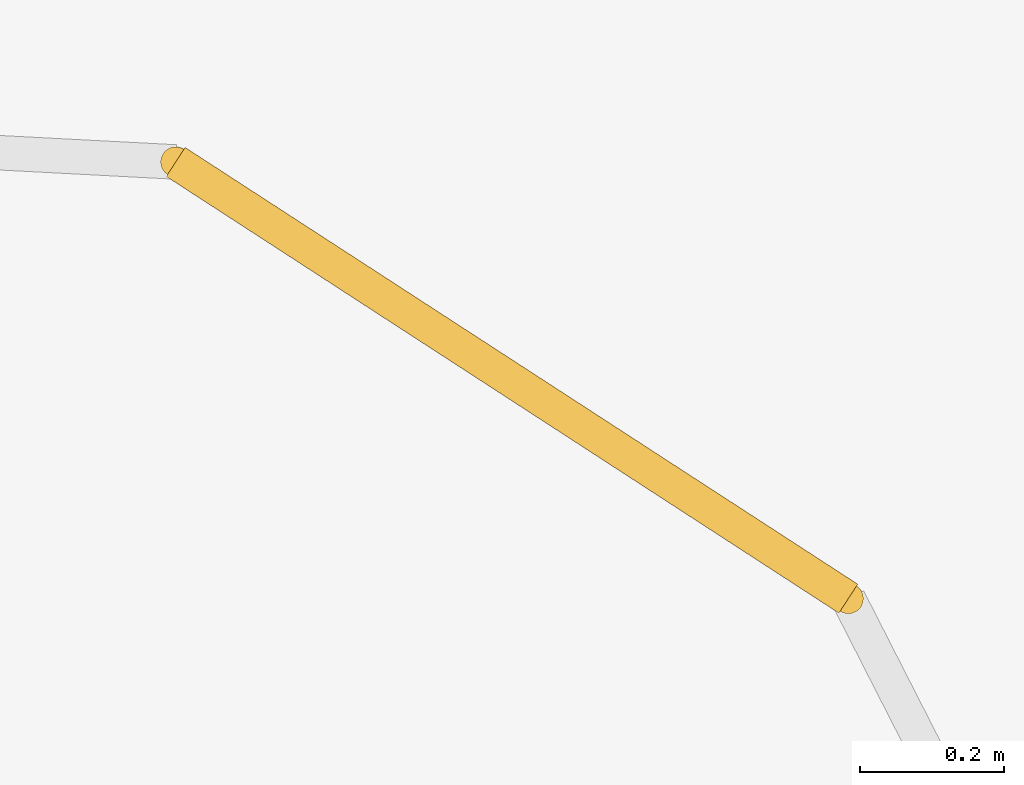
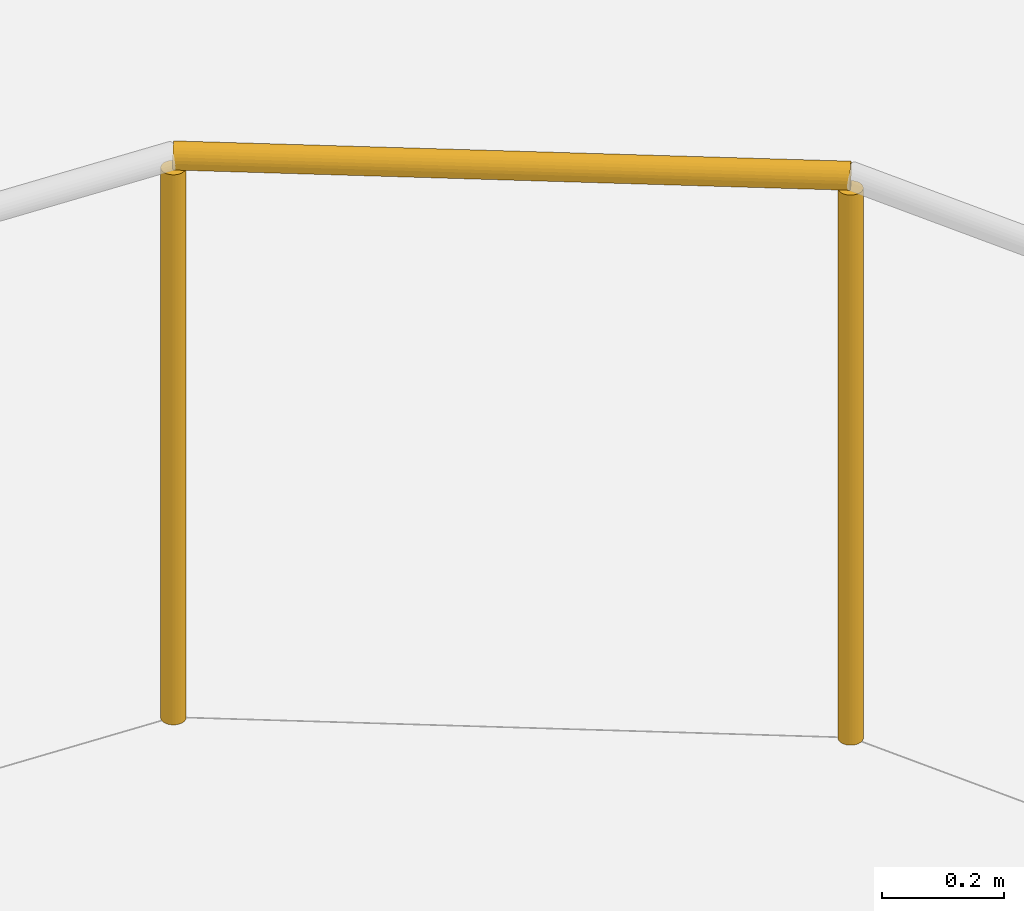
# One storey, part 6 of 6: 1 railing.
"""IFC4 building model written with IfcOpenShell, lengths in metres."""

from ifc_helpers import new_model, si_unit, direction, frame, origin, origin_2d, place, context, subcontext, project, spatial, circle, extrude, material, layer, layer_set, type_object, element, save


model = new_model("IFC4")

# Units and contexts
model_context = context("Model", 3, precision=1e-05, world=origin(), true_north=direction((0.0, 1.0)))
body_context = subcontext(model_context, "Body", "Model", "MODEL_VIEW")
ifc_project = project(units=[si_unit("LENGTHUNIT", "METRE"), si_unit("AREAUNIT", "SQUARE_METRE"), si_unit("VOLUMEUNIT", "CUBIC_METRE"), si_unit("PLANEANGLEUNIT", "RADIAN"), si_unit("MASSUNIT", "GRAM", prefix="KILO")], contexts=[model_context])

# Site, building, storey
site_placement = place(None, origin())
site = spatial("IfcSite", under=ifc_project, at=site_placement, CompositionType="ELEMENT")
building_placement = place(site_placement, origin())
building = spatial("IfcBuilding", under=site, at=building_placement, Name="Terralouvre Media Tower", CompositionType="ELEMENT")
storey_placement = place(building_placement, frame((0.0, 0.0, 326.60009765625)))
storey = spatial("IfcBuildingStorey", under=building, at=storey_placement, Name="L84", CompositionType="ELEMENT", Elevation=326.60009765625)

# Railing
ifc_material = material(Name="Stainless steel 316 handrail and balustrade", Category="steel")
ifc_layer = layer(ifc_material, 0.06005859375, Name="Roof Edge Safety Guardrail GR-ROOF1")
ifc_layer_set = layer_set([ifc_layer], Name="Stainless steel 316 handrail and balustrade")
railing_type = type_object("IfcRailingType", Name="Roof Edge Safety Guardrail GR-ROOF1", PredefinedType="GUARDRAIL", material=ifc_layer_set)
railing_placement = place(storey_placement, frame((13.697021484375, 12.3330078125, 0.0)))
element("IfcRailing", 1, at=railing_placement, inside=storey, type_object=railing_type, Name="L84 Crown Catwalk Safety Guardrail Edge 08", PredefinedType="GUARDRAIL", context=body_context, shape_type="SweptSolid", body=[
    extrude(circle(Radius=0.02392578125, at=origin_2d()), frame((0.0, 0.0, 1.1259765625), z_axis=(-0.838739229917, 0.544533290257, 0.0), x_axis=(-0.544533290257, -0.838739229917, 0.0)), (0.0, 0.0, 1.0), 1.11279296875),
    extrude(circle(Radius=0.02099609375, at=origin_2d()), origin(), (0.0, 0.0, 1.0), 1.101806640625),
    extrude(circle(Radius=0.02099609375, at=origin_2d()), frame((-0.933349609375, 0.60595703125, 0.0)), (0.0, 0.0, 1.0), 1.101806640625),
])

save(model, "model.ifc")
